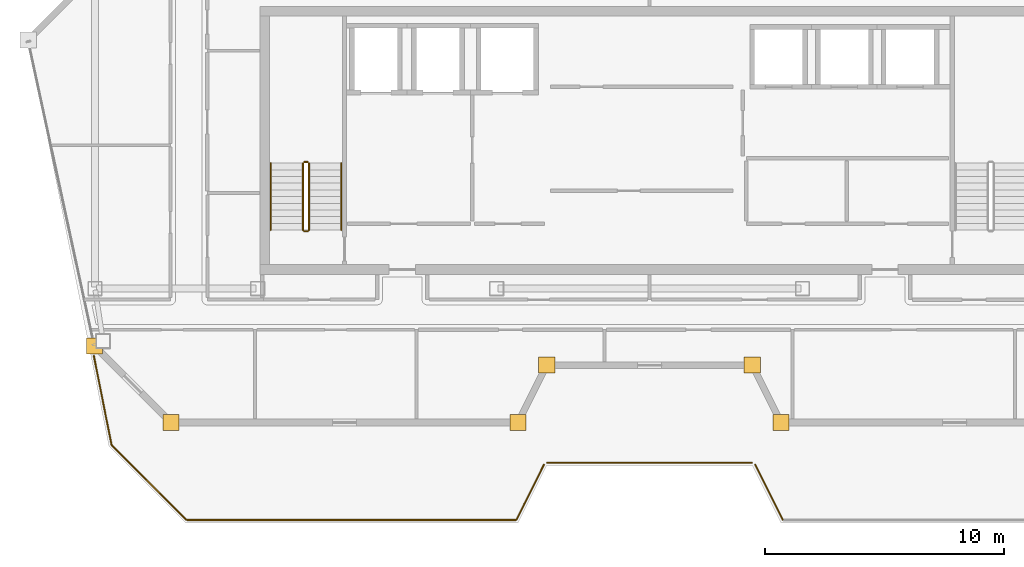
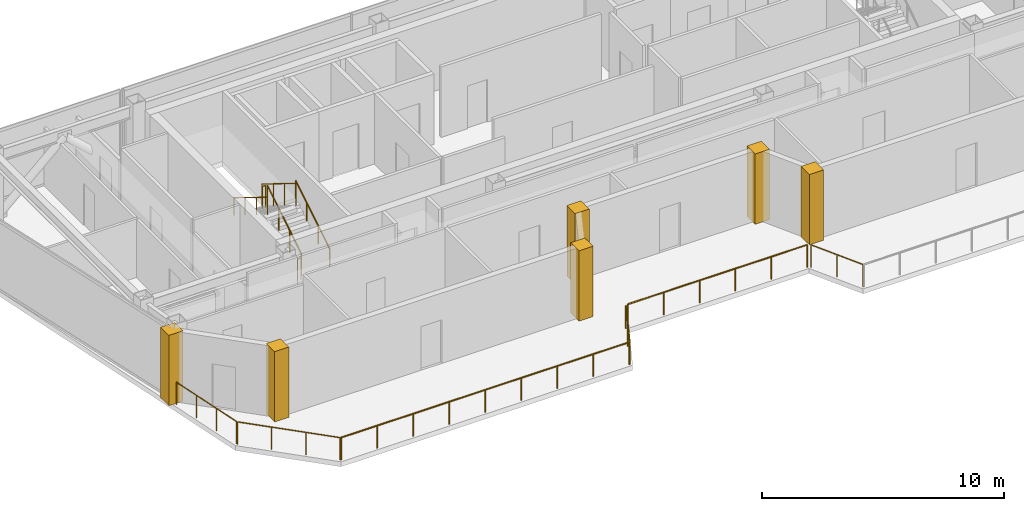
# One storey, part 15 of 17: 12 railings, 6 coverings.
"""IFC4 building model written with IfcOpenShell, lengths in metres."""

from ifc_helpers import new_model, si_unit, direction, frame, origin, origin_2d, place, context, subcontext, project, spatial, polyline, circle, outline, extrude, material, layer, layer_set, type_object, element, save


model = new_model("IFC4")

# Units and contexts
model_context = context("Model", 3, precision=1e-05, world=origin(), true_north=direction((0.0, 1.0)))
body_context = subcontext(model_context, "Body", "Model", "MODEL_VIEW")
ifc_project = project(units=[si_unit("LENGTHUNIT", "METRE"), si_unit("AREAUNIT", "SQUARE_METRE"), si_unit("VOLUMEUNIT", "CUBIC_METRE"), si_unit("PLANEANGLEUNIT", "RADIAN"), si_unit("MASSUNIT", "GRAM", prefix="KILO")], contexts=[model_context])

# Site, building, storey
site_placement = place(None, origin())
site = spatial("IfcSite", under=ifc_project, at=site_placement, CompositionType="ELEMENT")
building_placement = place(site_placement, origin())
building = spatial("IfcBuilding", under=site, at=building_placement, Name="Saevonmaru Cultural Tower", CompositionType="ELEMENT")
storey_placement = place(building_placement, frame((0.0, 0.0, 310.39990234375)))
storey = spatial("IfcBuildingStorey", under=building, at=storey_placement, Name="L74", CompositionType="ELEMENT", Elevation=310.39990234375)

# Coverings
ifc_material_1 = material(Name="Satin Bronze Anodised Aluminium", Category="aluminium")
ifc_layer = layer(ifc_material_1, 0.679931640625, Name="Satin Bronze Anodised Aluminium")
ifc_layer_set = layer_set([ifc_layer], Name="Satin Bronze Anodised Aluminium")
covering_type = type_object("IfcCoveringType", Name="CV-CORNER-CLAD", PredefinedType="CLADDING", material=ifc_layer_set)
covering_1_placement = place(storey_placement, origin())
element("IfcCovering", 1, at=covering_1_placement, inside=storey, type_object=covering_type, Name="L74 Tower Bronze Corner Cladding Pier 1", PredefinedType="CLADDING", context=body_context, shape_type="SweptSolid", body=[
    extrude(outline(polyline([(6.43310546875, 39.659912109375), (7.113037109375, 39.659912109375), (7.113037109375, 40.340087890625), (6.43310546875, 40.340087890625), (6.43310546875, 39.659912109375)])), origin(), (0.0, 0.0, 1.0), 3.550048828125),
])
covering_2_placement = place(storey_placement, origin())
element("IfcCovering", 2, at=covering_2_placement, inside=storey, type_object=covering_type, Name="L74 Tower Bronze Corner Cladding Pier 2", PredefinedType="CLADDING", context=body_context, shape_type="SweptSolid", body=[
    extrude(outline(polyline([(9.633056640625, 36.4599609375), (10.31298828125, 36.4599609375), (10.31298828125, 37.139892578125), (9.633056640625, 37.139892578125), (9.633056640625, 36.4599609375)])), origin(), (0.0, 0.0, 1.0), 3.550048828125),
])
covering_3_placement = place(storey_placement, origin())
element("IfcCovering", 3, at=covering_3_placement, inside=storey, type_object=covering_type, Name="L74 Tower Bronze Corner Cladding Pier 3", PredefinedType="CLADDING", context=body_context, shape_type="SweptSolid", body=[
    extrude(outline(polyline([(24.159912109375, 36.4599609375), (24.840087890625, 36.4599609375), (24.840087890625, 37.139892578125), (24.159912109375, 37.139892578125), (24.159912109375, 36.4599609375)])), origin(), (0.0, 0.0, 1.0), 3.550048828125),
])
covering_4_placement = place(storey_placement, origin())
element("IfcCovering", 4, at=covering_4_placement, inside=storey, type_object=covering_type, Name="L74 Tower Bronze Corner Cladding Pier 4", PredefinedType="CLADDING", context=body_context, shape_type="SweptSolid", body=[
    extrude(outline(polyline([(25.360107421875, 38.860107421875), (26.0400390625, 38.860107421875), (26.0400390625, 39.5400390625), (25.360107421875, 39.5400390625), (25.360107421875, 38.860107421875)])), origin(), (0.0, 0.0, 1.0), 3.550048828125),
])
covering_5_placement = place(storey_placement, origin())
element("IfcCovering", 5, at=covering_5_placement, inside=storey, type_object=covering_type, Name="L74 Tower Bronze Corner Cladding Pier 5", PredefinedType="CLADDING", context=body_context, shape_type="SweptSolid", body=[
    extrude(outline(polyline([(33.9599609375, 38.860107421875), (34.639892578125, 38.860107421875), (34.639892578125, 39.5400390625), (33.9599609375, 39.5400390625), (33.9599609375, 38.860107421875)])), origin(), (0.0, 0.0, 1.0), 3.550048828125),
])
covering_6_placement = place(storey_placement, origin())
element("IfcCovering", 6, at=covering_6_placement, inside=storey, type_object=covering_type, Name="L74 Tower Bronze Corner Cladding Pier 6", PredefinedType="CLADDING", context=body_context, shape_type="SweptSolid", body=[
    extrude(outline(polyline([(35.159912109375, 36.4599609375), (35.840087890625, 36.4599609375), (35.840087890625, 37.139892578125), (35.159912109375, 37.139892578125), (35.159912109375, 36.4599609375)])), origin(), (0.0, 0.0, 1.0), 3.550048828125),
])

# Railings
railing_type_1 = type_object("IfcRailingType", Name="RL-BALUSTRADE-1150", PredefinedType="BALUSTRADE", material=ifc_material_1)
railing_1_placement = place(storey_placement, frame((35.565185546875, 32.73779296875, 0.0)))
element("IfcRailing", 7, at=railing_1_placement, inside=storey, type_object=railing_type_1, Name="L74 Setback Terrace Balustrade 1-4", PredefinedType="BALUSTRADE", context=body_context, shape_type="SweptSolid", body=[
    extrude(circle(Radius=0.02392578125, at=origin_2d()), frame((0.0, 0.0, 1.1259765625), z_axis=(-0.4472135955, 0.894427191, 0.0), x_axis=(-0.894427191, -0.4472135955, 0.0)), (0.0, 0.0, 1.0), 2.569580078125),
    extrude(circle(Radius=0.02099609375, at=origin_2d()), origin(), (0.0, 0.0, 1.0), 1.101806640625),
    extrude(circle(Radius=0.02099609375, at=origin_2d()), frame((-0.57470703125, 1.149169921875, 0.0)), (0.0, 0.0, 1.0), 1.101806640625),
    extrude(circle(Radius=0.02099609375, at=origin_2d()), frame((-1.149169921875, 2.29833984375, 0.0)), (0.0, 0.0, 1.0), 1.101806640625),
])
railing_2_placement = place(storey_placement, frame((34.280029296875, 35.1201171875, 0.0)))
element("IfcRailing", 8, at=railing_2_placement, inside=storey, type_object=railing_type_1, Name="L74 Setback Terrace Balustrade 1-5", PredefinedType="BALUSTRADE", context=body_context, shape_type="SweptSolid", body=[
    extrude(circle(Radius=0.02392578125, at=origin_2d()), frame((0.0, 0.0, 1.1259765625), z_axis=(-1.0, 0.0, 0.0), x_axis=(0.0, -1.0, 0.0)), (0.0, 0.0, 1.0), 8.56005859375),
    extrude(circle(Radius=0.02099609375, at=origin_2d()), origin(), (0.0, 0.0, 1.0), 1.101806640625),
    extrude(circle(Radius=0.02099609375, at=origin_2d()), frame((-1.7119140625, 0.0, 0.0)), (0.0, 0.0, 1.0), 1.101806640625),
    extrude(circle(Radius=0.02099609375, at=origin_2d()), frame((-3.424072265625, 0.0, 0.0)), (0.0, 0.0, 1.0), 1.101806640625),
    extrude(circle(Radius=0.02099609375, at=origin_2d()), frame((-5.135986328125, 0.0, 0.0)), (0.0, 0.0, 1.0), 1.101806640625),
    extrude(circle(Radius=0.02099609375, at=origin_2d()), frame((-6.84814453125, 0.0, 0.0)), (0.0, 0.0, 1.0), 1.101806640625),
    extrude(circle(Radius=0.02099609375, at=origin_2d()), frame((-8.56005859375, 0.0, 0.0)), (0.0, 0.0, 1.0), 1.101806640625),
])
railing_3_placement = place(storey_placement, frame((25.583984375, 35.0361328125, 0.0)))
element("IfcRailing", 9, at=railing_3_placement, inside=storey, type_object=railing_type_1, Name="L74 Setback Terrace Balustrade 1-6", PredefinedType="BALUSTRADE", context=body_context, shape_type="SweptSolid", body=[
    extrude(circle(Radius=0.02392578125, at=origin_2d()), frame((0.0, 0.0, 1.1259765625), z_axis=(-0.4472135955, -0.894427191, 0.0), x_axis=(0.894427191, -0.4472135955, 0.0)), (0.0, 0.0, 1.0), 2.569580078125),
    extrude(circle(Radius=0.02099609375, at=origin_2d()), origin(), (0.0, 0.0, 1.0), 1.101806640625),
    extrude(circle(Radius=0.02099609375, at=origin_2d()), frame((-0.57470703125, -1.149169921875, 0.0)), (0.0, 0.0, 1.0), 1.101806640625),
    extrude(circle(Radius=0.02099609375, at=origin_2d()), frame((-1.149169921875, -2.29833984375, 0.0)), (0.0, 0.0, 1.0), 1.101806640625),
])
railing_4_placement = place(storey_placement, frame((24.406005859375, 32.719970703125, 0.0)))
element("IfcRailing", 10, at=railing_4_placement, inside=storey, type_object=railing_type_1, Name="L74 Setback Terrace Balustrade 1-7", PredefinedType="BALUSTRADE", context=body_context, shape_type="SweptSolid", body=[
    extrude(circle(Radius=0.02392578125, at=origin_2d()), frame((0.0, 0.0, 1.1259765625), z_axis=(-1.0, 0.0, 0.0), x_axis=(0.0, -1.0, 0.0)), (0.0, 0.0, 1.0), 13.756103515625),
    extrude(circle(Radius=0.02099609375, at=origin_2d()), origin(), (0.0, 0.0, 1.0), 1.101806640625),
    extrude(circle(Radius=0.02099609375, at=origin_2d()), frame((-1.719482421875, 0.0, 0.0)), (0.0, 0.0, 1.0), 1.101806640625),
    extrude(circle(Radius=0.02099609375, at=origin_2d()), frame((-3.43896484375, 0.0, 0.0)), (0.0, 0.0, 1.0), 1.101806640625),
    extrude(circle(Radius=0.02099609375, at=origin_2d()), frame((-5.158447265625, 0.0, 0.0)), (0.0, 0.0, 1.0), 1.101806640625),
    extrude(circle(Radius=0.02099609375, at=origin_2d()), frame((-6.8779296875, 0.0, 0.0)), (0.0, 0.0, 1.0), 1.101806640625),
    extrude(circle(Radius=0.02099609375, at=origin_2d()), frame((-8.59765625, 0.0, 0.0)), (0.0, 0.0, 1.0), 1.101806640625),
    extrude(circle(Radius=0.02099609375, at=origin_2d()), frame((-10.317138671875, 0.0, 0.0)), (0.0, 0.0, 1.0), 1.101806640625),
    extrude(circle(Radius=0.02099609375, at=origin_2d()), frame((-12.03662109375, 0.0, 0.0)), (0.0, 0.0, 1.0), 1.101806640625),
    extrude(circle(Radius=0.02099609375, at=origin_2d()), frame((-13.756103515625, 0.0, 0.0)), (0.0, 0.0, 1.0), 1.101806640625),
])
railing_5_placement = place(storey_placement, frame((10.615966796875, 32.734130859375, 0.0)))
element("IfcRailing", 11, at=railing_5_placement, inside=storey, type_object=railing_type_1, Name="L74 Setback Terrace Balustrade 1-8", PredefinedType="BALUSTRADE", context=body_context, shape_type="SweptSolid", body=[
    extrude(circle(Radius=0.02392578125, at=origin_2d()), frame((0.0, 0.0, 1.1259765625), z_axis=(-0.707106781187, 0.707106781187, 0.0), x_axis=(-0.707106781187, -0.707106781187, 0.0)), (0.0, 0.0, 1.0), 4.3994140625),
    extrude(circle(Radius=0.02099609375, at=origin_2d()), origin(), (0.0, 0.0, 1.0), 1.101806640625),
    extrude(circle(Radius=0.02099609375, at=origin_2d()), frame((-1.036865234375, 1.036865234375, 0.0)), (0.0, 0.0, 1.0), 1.101806640625),
    extrude(circle(Radius=0.02099609375, at=origin_2d()), frame((-2.073974609375, 2.073974609375, 0.0)), (0.0, 0.0, 1.0), 1.101806640625),
    extrude(circle(Radius=0.02099609375, at=origin_2d()), frame((-3.11083984375, 3.11083984375, 0.0)), (0.0, 0.0, 1.0), 1.101806640625),
])
railing_6_placement = place(storey_placement, frame((7.487060546875, 35.878662109375, 0.0)))
element("IfcRailing", 12, at=railing_6_placement, inside=storey, type_object=railing_type_1, Name="L74 Setback Terrace Balustrade 1-9", PredefinedType="BALUSTRADE", context=body_context, shape_type="SweptSolid", body=[
    extrude(circle(Radius=0.02392578125, at=origin_2d()), frame((0.0, 0.0, 1.1259765625), z_axis=(-0.195121707573, 0.980779036906, 0.0), x_axis=(-0.980779036906, -0.195121707573, 0.0)), (0.0, 0.0, 1.0), 3.77734375),
    extrude(circle(Radius=0.02099609375, at=origin_2d()), origin(), (0.0, 0.0, 1.0), 1.101806640625),
    extrude(circle(Radius=0.02099609375, at=origin_2d()), frame((-0.24560546875, 1.23486328125, 0.0)), (0.0, 0.0, 1.0), 1.101806640625),
    extrude(circle(Radius=0.02099609375, at=origin_2d()), frame((-0.491455078125, 2.469970703125, 0.0)), (0.0, 0.0, 1.0), 1.101806640625),
    extrude(circle(Radius=0.02099609375, at=origin_2d()), frame((-0.737060546875, 3.704833984375, 0.0)), (0.0, 0.0, 1.0), 1.101806640625),
])
ifc_material_2 = material(Name="Architectural Painted Steel", Category="steel")
railing_type_2 = type_object("IfcRailingType", Name="RL-STAIR-GUARD", PredefinedType="GUARDRAIL", material=ifc_material_2)
railing_7_placement = place(storey_placement, frame((15.75, 44.85009765625, 0.1728515625)))
element("IfcRailing", 13, at=railing_7_placement, inside=storey, type_object=railing_type_2, Name="L74 ST-1 stair guard 1", PredefinedType="GUARDRAIL", context=body_context, shape_type="SweptSolid", body=[
    extrude(circle(Radius=0.02392578125, at=origin_2d()), frame((0.0, 0.0, 1.09619140625), z_axis=(0.0, 0.851069175582, 0.525053576669), x_axis=(-1.0, 0.0, 0.0)), (0.0, 0.0, 1.0), 3.289794921875),
    extrude(circle(Radius=0.02099609375, at=origin_2d()), origin(), (0.0, 0.0, 1.0), 1.072021484375),
    extrude(circle(Radius=0.02099609375, at=origin_2d()), frame((0.0, 0.933349609375, 0.57568359375)), (0.0, 0.0, 1.0), 1.072021484375),
    extrude(circle(Radius=0.02099609375, at=origin_2d()), frame((0.0, 1.866455078125, 1.151611328125)), (0.0, 0.0, 1.0), 1.072021484375),
    extrude(circle(Radius=0.02099609375, at=origin_2d()), frame((0.0, 2.7998046875, 1.727294921875)), (0.0, 0.0, 1.0), 1.072021484375),
])
railing_8_placement = place(storey_placement, frame((15.699951171875, 47.699951171875, 1.900146484375)))
element("IfcRailing", 14, at=railing_8_placement, inside=storey, type_object=railing_type_2, Name="L74 ST-1 stair guard 2", PredefinedType="GUARDRAIL", context=body_context, shape_type="SweptSolid", body=[
    extrude(circle(Radius=0.02392578125, at=origin_2d()), frame((0.0, 0.0, 1.09619140625), z_axis=(-1.0, 0.0, 0.0), x_axis=(0.0, -1.0, 0.0)), (0.0, 0.0, 1.0), 0.14990234375),
    extrude(circle(Radius=0.02099609375, at=origin_2d()), origin(), (0.0, 0.0, 1.0), 1.072021484375),
    extrude(circle(Radius=0.02099609375, at=origin_2d()), frame((-0.14990234375, 0.0, 0.0)), (0.0, 0.0, 1.0), 1.072021484375),
])
railing_9_placement = place(storey_placement, frame((15.5, 47.64990234375, 2.07275390625)))
element("IfcRailing", 15, at=railing_9_placement, inside=storey, type_object=railing_type_2, Name="L74 ST-1 stair guard 3", PredefinedType="GUARDRAIL", context=body_context, shape_type="SweptSolid", body=[
    extrude(circle(Radius=0.02392578125, at=origin_2d()), frame((0.0, 0.0, 1.09619140625), z_axis=(0.0, -0.851069175582, 0.525053576669), x_axis=(1.0, 0.0, 0.0)), (0.0, 0.0, 1.0), 3.289794921875),
    extrude(circle(Radius=0.02099609375, at=origin_2d()), origin(), (0.0, 0.0, 1.0), 1.072021484375),
    extrude(circle(Radius=0.02099609375, at=origin_2d()), frame((0.0, -0.933349609375, 0.57568359375)), (0.0, 0.0, 1.0), 1.072021484375),
    extrude(circle(Radius=0.02099609375, at=origin_2d()), frame((0.0, -1.866455078125, 1.151611328125)), (0.0, 0.0, 1.0), 1.072021484375),
    extrude(circle(Radius=0.02099609375, at=origin_2d()), frame((0.0, -2.7998046875, 1.727294921875)), (0.0, 0.0, 1.0), 1.072021484375),
])
railing_10_placement = place(storey_placement, frame((15.699951171875, 44.800048828125, 0.0)))
element("IfcRailing", 16, at=railing_10_placement, inside=storey, type_object=railing_type_2, Name="L74 ST-1 stair guard 4", PredefinedType="GUARDRAIL", context=body_context, shape_type="SweptSolid", body=[
    extrude(circle(Radius=0.02392578125, at=origin_2d()), frame((0.0, 0.0, 1.09619140625), z_axis=(-1.0, 0.0, 0.0), x_axis=(0.0, -1.0, 0.0)), (0.0, 0.0, 1.0), 0.14990234375),
    extrude(circle(Radius=0.02099609375, at=origin_2d()), origin(), (0.0, 0.0, 1.0), 1.072021484375),
    extrude(circle(Radius=0.02099609375, at=origin_2d()), frame((-0.14990234375, 0.0, 0.0)), (0.0, 0.0, 1.0), 1.072021484375),
])
railing_type_3 = type_object("IfcRailingType", Name="RL-STAIR-HANDRAIL", PredefinedType="HANDRAIL", material=ifc_material_1)
railing_11_placement = place(storey_placement, frame((17.10009765625, 44.85009765625, 0.1728515625)))
element("IfcRailing", 17, at=railing_11_placement, inside=storey, type_object=railing_type_3, Name="L74 ST-1 stair handrail 1", PredefinedType="HANDRAIL", context=body_context, shape_type="SweptSolid", body=[
    extrude(circle(Radius=0.02392578125, at=origin_2d()), frame((0.0, 0.0, 0.8759765625), z_axis=(0.0, 0.851069175582, 0.525053576669), x_axis=(-1.0, 0.0, 0.0)), (0.0, 0.0, 1.0), 3.289794921875),
    extrude(circle(Radius=0.02099609375, at=origin_2d()), origin(), (0.0, 0.0, 1.0), 0.851806640625),
    extrude(circle(Radius=0.02099609375, at=origin_2d()), frame((0.0, 0.933349609375, 0.57568359375)), (0.0, 0.0, 1.0), 0.851806640625),
    extrude(circle(Radius=0.02099609375, at=origin_2d()), frame((0.0, 1.866455078125, 1.151611328125)), (0.0, 0.0, 1.0), 0.851806640625),
    extrude(circle(Radius=0.02099609375, at=origin_2d()), frame((0.0, 2.7998046875, 1.727294921875)), (0.0, 0.0, 1.0), 0.851806640625),
])
railing_12_placement = place(storey_placement, frame((14.14990234375, 47.64990234375, 2.07275390625)))
element("IfcRailing", 18, at=railing_12_placement, inside=storey, type_object=railing_type_3, Name="L74 ST-1 stair handrail 2", PredefinedType="HANDRAIL", context=body_context, shape_type="SweptSolid", body=[
    extrude(circle(Radius=0.02392578125, at=origin_2d()), frame((0.0, 0.0, 0.8759765625), z_axis=(0.0, -0.851069175582, 0.525053576669), x_axis=(1.0, 0.0, 0.0)), (0.0, 0.0, 1.0), 3.289794921875),
    extrude(circle(Radius=0.02099609375, at=origin_2d()), origin(), (0.0, 0.0, 1.0), 0.851806640625),
    extrude(circle(Radius=0.02099609375, at=origin_2d()), frame((0.0, -0.933349609375, 0.57568359375)), (0.0, 0.0, 1.0), 0.851806640625),
    extrude(circle(Radius=0.02099609375, at=origin_2d()), frame((0.0, -1.866455078125, 1.151611328125)), (0.0, 0.0, 1.0), 0.851806640625),
    extrude(circle(Radius=0.02099609375, at=origin_2d()), frame((0.0, -2.7998046875, 1.727294921875)), (0.0, 0.0, 1.0), 0.851806640625),
])

save(model, "model.ifc")
